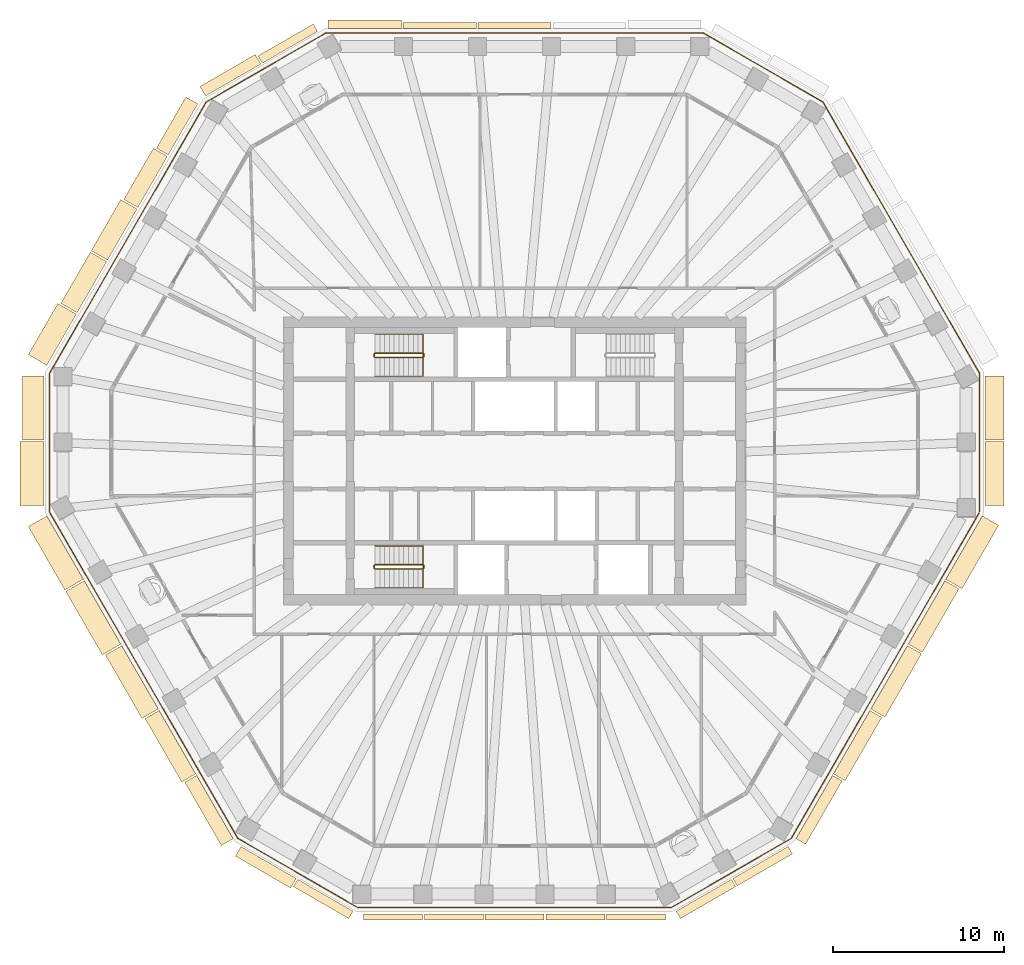
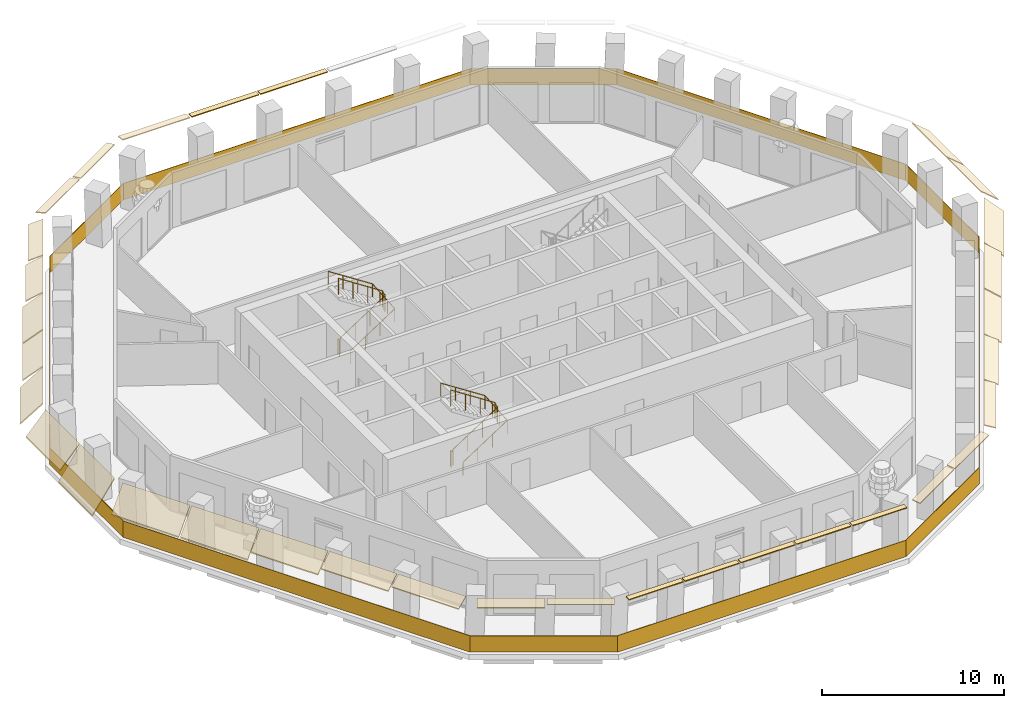
# One storey, part 9 of 12: 33 coverings, 5 railings.
"""IFC4 building model written with IfcOpenShell, lengths in metres."""

from ifc_helpers import new_model, si_unit, direction, frame, origin, origin_2d, place, context, subcontext, project, spatial, polyline, rectangle, circle, outline, extrude, material, layer, layer_set, type_object, element, save


model = new_model("IFC4")

# Units and contexts
model_context = context("Model", 3, precision=1e-05, world=origin(), true_north=direction((0.0, 1.0)))
body_context = subcontext(model_context, "Body", "Model", "MODEL_VIEW")
ifc_project = project(units=[si_unit("LENGTHUNIT", "METRE"), si_unit("AREAUNIT", "SQUARE_METRE"), si_unit("VOLUMEUNIT", "CUBIC_METRE"), si_unit("PLANEANGLEUNIT", "RADIAN"), si_unit("MASSUNIT", "GRAM", prefix="KILO")], contexts=[model_context])

# Site, building, storey
site_placement = place(None, origin())
site = spatial("IfcSite", under=ifc_project, at=site_placement, CompositionType="ELEMENT")
building_placement = place(site_placement, origin())
building = spatial("IfcBuilding", under=site, at=building_placement, Name="Frailejon Research Tower", CompositionType="ELEMENT")
storey_placement = place(building_placement, frame((0.0, 0.0, 245.39990234375)))
storey = spatial("IfcBuildingStorey", under=building, at=storey_placement, Name="L53", CompositionType="ELEMENT", Elevation=245.39990234375)

# Coverings
ifc_material_1 = material(Name="Precast concrete C50/60", Category="concrete")
ifc_layer_1 = layer(ifc_material_1, 0.06005859375)
ifc_layer_set_1 = layer_set([ifc_layer_1], Name="Brim blade depth 1100")
covering_type_1 = type_object("IfcCoveringType", Name="Brim blade depth 1100", PredefinedType="CLADDING", material=ifc_layer_set_1)
for number, where, z_axis, x_axis, name in (
    (1, (27.473876953125, 1.144287109375, 3.85009765625), (0.0, -1.0, 0.0), (1.0, 0.0, 0.0), "Brim blade L53"),
    (2, (27.473876953125, 4.970947265625, 3.85009765625), (0.0, -1.0, 0.0), (1.0, 0.0, 0.0), "Brim blade L53"),
):
    element("IfcCovering", number, at=place(storey_placement, frame(where, z_axis=z_axis, x_axis=x_axis)), inside=storey, type_object=covering_type_1, Name=name, PredefinedType="CLADDING", context=body_context, shape_type="SweptSolid", body=[
        extrude(outline(polyline([(0.0, -0.078369140625), (1.10009765625, -1.001220703125), (1.10009765625, -0.923095703125), (0.0, 0.0), (0.0, -0.078369140625)])), origin(), (0.0, 0.0, 1.0), 3.726806640625),
    ])
covering_1_placement = place(storey_placement, frame((-23.7626953125, 11.730224609375, 3.85009765625), z_axis=(0.50000078986, 0.866024947758, 0.0), x_axis=(-0.866024947758, 0.50000078986, 0.0)))
element("IfcCovering", 3, at=covering_1_placement, inside=storey, type_object=covering_type_1, Name="Brim blade L53", PredefinedType="CLADDING", context=body_context, shape_type="SweptSolid", body=[
    extrude(outline(polyline([(0.0, -0.078369140625), (1.10009765625, -1.001220703125), (1.10009765625, -0.923095703125), (0.0, 0.0), (0.0, -0.078369140625)])), origin(), (0.0, 0.0, 1.0), 3.4453125),
])
covering_2_placement = place(storey_placement, frame((-25.535400390625, 8.65966796875, 3.85009765625), z_axis=(0.499988576894, 0.866031998817, 0.0), x_axis=(-0.866031998817, 0.499988576894, 0.0)))
element("IfcCovering", 4, at=covering_2_placement, inside=storey, type_object=covering_type_1, Name="Brim blade L53", PredefinedType="CLADDING", context=body_context, shape_type="SweptSolid", body=[
    extrude(outline(polyline([(0.0, -0.078369140625), (1.10009765625, -1.001220703125), (1.10009765625, -0.923095703125), (0.0, 0.0), (0.0, -0.078369140625)])), origin(), (0.0, 0.0, 1.0), 3.445556640625),
])
covering_3_placement = place(storey_placement, frame((-20.798828125, -14.47509765625, 3.85009765625), z_axis=(-0.499995631842, 0.866027925727, 0.0), x_axis=(-0.866027925727, -0.499995631842, 0.0)))
element("IfcCovering", 5, at=covering_3_placement, inside=storey, type_object=covering_type_1, Name="Brim blade L53", PredefinedType="CLADDING", context=body_context, shape_type="SweptSolid", body=[
    extrude(outline(polyline([(0.0, -0.078369140625), (1.10009765625, -1.001220703125), (1.10009765625, -0.923095703125), (0.0, 0.0), (0.0, -0.078369140625)])), origin(), (0.0, 0.0, 1.0), 4.272705078125),
])
covering_4_placement = place(storey_placement, frame((27.30810546875, -3.20068359375, 3.85009765625), z_axis=(-0.500012782736, -0.866018023543, 0.0), x_axis=(0.866018023543, -0.500012782736, 0.0)))
element("IfcCovering", 6, at=covering_4_placement, inside=storey, type_object=covering_type_1, Name="Brim blade L53", PredefinedType="CLADDING", context=body_context, shape_type="SweptSolid", body=[
    extrude(outline(polyline([(0.0, -0.078369140625), (1.10009765625, -1.001220703125), (1.10009765625, -0.923095703125), (0.0, 0.0), (0.0, -0.078369140625)])), origin(), (0.0, 0.0, 1.0), 4.27294921875),
])
ifc_material_2 = material(Name="Precast concrete C50/60", Category="concrete")
ifc_layer_2 = layer(ifc_material_2, 0.06005859375)
ifc_layer_set_2 = layer_set([ifc_layer_2], Name="Brim blade depth 1250")
covering_type_2 = type_object("IfcCoveringType", Name="Brim blade depth 1250", PredefinedType="CLADDING", material=ifc_layer_set_2)
covering_5_placement = place(storey_placement, frame((-27.30810546875, 5.589111328125, 3.85009765625), z_axis=(0.50000973004, 0.86601978607, 0.0), x_axis=(-0.86601978607, 0.50000973004, 0.0)))
element("IfcCovering", 7, at=covering_5_placement, inside=storey, type_object=covering_type_2, Name="Brim blade L53", PredefinedType="CLADDING", context=body_context, shape_type="SweptSolid", body=[
    extrude(outline(polyline([(0.0, -0.0888671875), (1.25, -1.452880859375), (1.25, -1.364013671875), (0.0, 0.0), (0.0, -0.0888671875)])), origin(), (0.0, 0.0, 1.0), 3.445556640625),
])
covering_6_placement = place(storey_placement, frame((-27.473876953125, 1.244140625, 3.85009765625), z_axis=(0.0, 1.0, 0.0), x_axis=(-1.0, 0.0, 0.0)))
element("IfcCovering", 8, at=covering_6_placement, inside=storey, type_object=covering_type_2, Name="Brim blade L53", PredefinedType="CLADDING", context=body_context, shape_type="SweptSolid", body=[
    extrude(outline(polyline([(0.0, -0.0888671875), (1.25, -1.452880859375), (1.25, -1.364013671875), (0.0, 0.0), (0.0, -0.0888671875)])), origin(), (0.0, 0.0, 1.0), 3.726806640625),
])
covering_7_placement = place(storey_placement, frame((-25.171630859375, -6.901123046875, 3.85009765625), z_axis=(-0.500012782736, 0.866018023543, 0.0), x_axis=(-0.866018023543, -0.500012782736, 0.0)))
element("IfcCovering", 9, at=covering_7_placement, inside=storey, type_object=covering_type_2, Name="Brim blade L53", PredefinedType="CLADDING", context=body_context, shape_type="SweptSolid", body=[
    extrude(outline(polyline([(0.0, -0.0888671875), (1.25, -1.452880859375), (1.25, -1.364013671875), (0.0, 0.0), (0.0, -0.0888671875)])), origin(), (0.0, 0.0, 1.0), 4.27294921875),
])
covering_8_placement = place(storey_placement, frame((-22.9853515625, -10.688232421875, 3.85009765625), z_axis=(-0.499995631842, 0.866027925727, 0.0), x_axis=(-0.866027925727, -0.499995631842, 0.0)))
element("IfcCovering", 10, at=covering_8_placement, inside=storey, type_object=covering_type_2, Name="Brim blade L53", PredefinedType="CLADDING", context=body_context, shape_type="SweptSolid", body=[
    extrude(outline(polyline([(0.0, -0.0888671875), (1.25, -1.452880859375), (1.25, -1.364013671875), (0.0, 0.0), (0.0, -0.0888671875)])), origin(), (0.0, 0.0, 1.0), 4.272705078125),
])
ifc_material_3 = material(Name="Precast concrete C50/60", Category="concrete")
ifc_layer_3 = layer(ifc_material_3, 0.06005859375)
ifc_layer_set_3 = layer_set([ifc_layer_3], Name="Brim blade depth 1400")
covering_type_3 = type_object("IfcCoveringType", Name="Brim blade depth 1400", PredefinedType="CLADDING", material=ifc_layer_set_3)
covering_9_placement = place(storey_placement, frame((-27.473876953125, -2.58251953125, 3.85009765625), z_axis=(0.0, 1.0, 0.0), x_axis=(-1.0, 0.0, 0.0)))
element("IfcCovering", 11, at=covering_9_placement, inside=storey, type_object=covering_type_3, Name="Brim blade L53", PredefinedType="CLADDING", context=body_context, shape_type="SweptSolid", body=[
    extrude(outline(polyline([(0.0, -0.1044921875), (1.39990234375, -2.10400390625), (1.39990234375, -1.99951171875), (0.0, 0.0), (0.0, -0.1044921875)])), origin(), (0.0, 0.0, 1.0), 3.726806640625),
])
ifc_material_4 = material(Name="Precast concrete C50/60", Category="concrete")
ifc_layer_4 = layer(ifc_material_4, 0.06005859375)
ifc_layer_set_4 = layer_set([ifc_layer_4], Name="Brim blade depth 350")
covering_type_4 = type_object("IfcCoveringType", Name="Brim blade depth 350", PredefinedType="CLADDING", material=ifc_layer_set_4)
covering_10_placement = place(storey_placement, frame((-2.136474609375, 25.25, 3.85009765625), z_axis=(1.0, 0.0, 0.0), x_axis=(0.0, 1.0, 0.0)))
element("IfcCovering", 12, at=covering_10_placement, inside=storey, type_object=covering_type_4, Name="Brim blade L53", PredefinedType="CLADDING", context=body_context, shape_type="SweptSolid", body=[
    extrude(outline(polyline([(0.0, -0.06005859375), (0.35009765625, -0.06005859375), (0.35009765625, 0.0), (0.0, 0.0), (0.0, -0.06005859375)])), origin(), (0.0, 0.0, 1.0), 4.272705078125),
])
covering_11_placement = place(storey_placement, frame((-6.50927734375, 25.25, 3.85009765625), z_axis=(1.0, 0.0, 0.0), x_axis=(0.0, 1.0, 0.0)))
element("IfcCovering", 13, at=covering_11_placement, inside=storey, type_object=covering_type_4, Name="Brim blade L53", PredefinedType="CLADDING", context=body_context, shape_type="SweptSolid", body=[
    extrude(outline(polyline([(0.0, -0.06005859375), (0.35009765625, -0.06005859375), (0.35009765625, 0.0), (0.0, 0.0), (0.0, -0.06005859375)])), origin(), (0.0, 0.0, 1.0), 4.27294921875),
])
for number, where, z_axis, x_axis, name in (
    (14, (-5.3681640625, -26.444091796875, 3.85009765625), (-1.0, 0.0, 0.0), (0.0, -1.0, 0.0), "Brim blade L53"),
    (15, (-1.82275390625, -26.444091796875, 3.85009765625), (-1.0, 0.0, 0.0), (0.0, -1.0, 0.0), "Brim blade L53"),
):
    element("IfcCovering", number, at=place(storey_placement, frame(where, z_axis=z_axis, x_axis=x_axis)), inside=storey, type_object=covering_type_4, Name=name, PredefinedType="CLADDING", context=body_context, shape_type="SweptSolid", body=[
        extrude(outline(polyline([(0.0, -0.06005859375), (0.35009765625, -0.06005859375), (0.35009765625, 0.0), (0.0, 0.0), (0.0, -0.06005859375)])), origin(), (0.0, 0.0, 1.0), 3.445556640625),
    ])
covering_12_placement = place(storey_placement, frame((1.72265625, -26.444091796875, 3.85009765625), z_axis=(-1.0, 0.0, 0.0), x_axis=(0.0, -1.0, 0.0)))
element("IfcCovering", 16, at=covering_12_placement, inside=storey, type_object=covering_type_4, Name="Brim blade L53", PredefinedType="CLADDING", context=body_context, shape_type="SweptSolid", body=[
    extrude(outline(polyline([(0.0, -0.06005859375), (0.35009765625, -0.06005859375), (0.35009765625, 0.0), (0.0, 0.0), (0.0, -0.06005859375)])), origin(), (0.0, 0.0, 1.0), 3.4453125),
])
for number, where, z_axis, x_axis, name in (
    (17, (5.268310546875, -26.444091796875, 3.85009765625), (-1.0, 0.0, 0.0), (0.0, -1.0, 0.0), "Brim blade L53"),
    (18, (8.813720703125, -26.444091796875, 3.85009765625), (-1.0, 0.0, 0.0), (0.0, -1.0, 0.0), "Brim blade L53"),
):
    element("IfcCovering", number, at=place(storey_placement, frame(where, z_axis=z_axis, x_axis=x_axis)), inside=storey, type_object=covering_type_4, Name=name, PredefinedType="CLADDING", context=body_context, shape_type="SweptSolid", body=[
        extrude(outline(polyline([(0.0, -0.06005859375), (0.35009765625, -0.06005859375), (0.35009765625, 0.0), (0.0, 0.0), (0.0, -0.06005859375)])), origin(), (0.0, 0.0, 1.0), 3.445556640625),
    ])
ifc_material_5 = material(Name="Precast concrete C50/60", Category="concrete")
ifc_layer_5 = layer(ifc_material_5, 0.06005859375)
ifc_layer_set_5 = layer_set([ifc_layer_5], Name="Brim blade depth 500")
covering_type_5 = type_object("IfcCoveringType", Name="Brim blade depth 500", PredefinedType="CLADDING", material=ifc_layer_set_5)
covering_13_placement = place(storey_placement, frame((-10.882080078125, 25.25, 3.85009765625), z_axis=(1.0, 0.0, 0.0), x_axis=(0.0, 1.0, 0.0)))
element("IfcCovering", 19, at=covering_13_placement, inside=storey, type_object=covering_type_5, Name="Brim blade L53", PredefinedType="CLADDING", context=body_context, shape_type="SweptSolid", body=[
    extrude(outline(polyline([(0.0, -0.060546875), (0.5, -0.130859375), (0.5, -0.0703125), (0.0, 0.0), (0.0, -0.060546875)])), origin(), (0.0, 0.0, 1.0), 4.272705078125),
])
for number, where, z_axis, x_axis, name in (
    (20, (-14.727783203125, 23.220947265625, 3.85009765625), (0.866018477835, 0.500011995905, 0.0), (-0.500011995905, 0.866018477835, 0.0), "Brim blade L53"),
    (21, (-9.431884765625, -26.278564453125, 3.85009765625), (-0.866018477835, 0.500011995905, 0.0), (-0.500011995905, -0.866018477835, 0.0), "Brim blade L53"),
    (22, (12.659423828125, -24.4150390625, 3.85009765625), (-0.866018477835, -0.500011995905, 0.0), (0.500011995905, -0.866018477835, 0.0), "Brim blade L53"),
    (23, (15.973388671875, -22.501708984375, 3.85009765625), (-0.866036325866, -0.499981081923, 0.0), (0.499981081923, -0.866036325866, 0.0), "Brim blade L53"),
):
    element("IfcCovering", number, at=place(storey_placement, frame(where, z_axis=z_axis, x_axis=x_axis)), inside=storey, type_object=covering_type_5, Name=name, PredefinedType="CLADDING", context=body_context, shape_type="SweptSolid", body=[
        extrude(outline(polyline([(0.0, -0.060546875), (0.5, -0.130859375), (0.5, -0.0703125), (0.0, 0.0), (0.0, -0.060546875)])), origin(), (0.0, 0.0, 1.0), 3.726806640625),
    ])
ifc_material_6 = material(Name="Precast concrete C50/60", Category="concrete")
ifc_layer_6 = layer(ifc_material_6, 0.06005859375)
ifc_layer_set_6 = layer_set([ifc_layer_6], Name="Brim blade depth 650")
covering_type_6 = type_object("IfcCoveringType", Name="Brim blade depth 650", PredefinedType="CLADDING", material=ifc_layer_set_6)
for number, where, z_axis, x_axis, name in (
    (24, (-18.0419921875, 21.3076171875, 3.85009765625), (0.866036325866, 0.499981081923, 0.0), (-0.499981081923, 0.866036325866, 0.0), "Brim blade L53"),
    (25, (-12.74609375, -24.364990234375, 3.85009765625), (-0.866036325866, 0.499981081923, 0.0), (-0.499981081923, -0.866036325866, 0.0), "Brim blade L53"),
):
    element("IfcCovering", number, at=place(storey_placement, frame(where, z_axis=z_axis, x_axis=x_axis)), inside=storey, type_object=covering_type_6, Name=name, PredefinedType="CLADDING", context=body_context, shape_type="SweptSolid", body=[
        extrude(outline(polyline([(0.0, -0.0625), (0.64990234375, -0.248779296875), (0.64990234375, -0.186279296875), (0.0, 0.0), (0.0, -0.0625)])), origin(), (0.0, 0.0, 1.0), 3.726806640625),
    ])
covering_14_placement = place(storey_placement, frame((18.5625, -18.348876953125, 3.85009765625), z_axis=(-0.499995631842, -0.866027925727, 0.0), x_axis=(0.866027925727, -0.499995631842, 0.0)))
element("IfcCovering", 26, at=covering_14_placement, inside=storey, type_object=covering_type_6, Name="Brim blade L53", PredefinedType="CLADDING", context=body_context, shape_type="SweptSolid", body=[
    extrude(outline(polyline([(0.0, -0.0625), (0.64990234375, -0.248779296875), (0.64990234375, -0.186279296875), (0.0, 0.0), (0.0, -0.0625)])), origin(), (0.0, 0.0, 1.0), 4.272705078125),
])
ifc_material_7 = material(Name="Precast concrete C50/60", Category="concrete")
ifc_layer_7 = layer(ifc_material_7, 0.06005859375)
ifc_layer_set_7 = layer_set([ifc_layer_7], Name="Brim blade depth 800")
covering_type_7 = type_object("IfcCoveringType", Name="Brim blade depth 800", PredefinedType="CLADDING", material=ifc_layer_set_7)
covering_15_placement = place(storey_placement, frame((-20.21728515625, 17.87109375, 3.85009765625), z_axis=(0.499988576894, 0.866031998817, 0.0), x_axis=(-0.866031998817, 0.499988576894, 0.0)))
element("IfcCovering", 27, at=covering_15_placement, inside=storey, type_object=covering_type_7, Name="Brim blade L53", PredefinedType="CLADDING", context=body_context, shape_type="SweptSolid", body=[
    extrude(outline(polyline([(0.0, -0.065673828125), (0.800048828125, -0.421875), (0.800048828125, -0.356201171875), (0.0, 0.0), (0.0, -0.065673828125)])), origin(), (0.0, 0.0, 1.0), 3.445556640625),
])
for number, where, z_axis, x_axis, name in (
    (28, (-16.426025390625, -22.04931640625, 3.85009765625), (-0.499995631842, 0.866027925727, 0.0), (-0.866027925727, -0.499995631842, 0.0), "Brim blade L53"),
    (29, (20.748779296875, -14.561767578125, 3.85009765625), (-0.499995631842, -0.866027925727, 0.0), (0.866027925727, -0.499995631842, 0.0), "Brim blade L53"),
):
    element("IfcCovering", number, at=place(storey_placement, frame(where, z_axis=z_axis, x_axis=x_axis)), inside=storey, type_object=covering_type_7, Name=name, PredefinedType="CLADDING", context=body_context, shape_type="SweptSolid", body=[
        extrude(outline(polyline([(0.0, -0.065673828125), (0.800048828125, -0.421875), (0.800048828125, -0.356201171875), (0.0, 0.0), (0.0, -0.065673828125)])), origin(), (0.0, 0.0, 1.0), 4.272705078125),
    ])
ifc_material_8 = material(Name="Precast concrete C50/60", Category="concrete")
ifc_layer_8 = layer(ifc_material_8, 0.06005859375)
ifc_layer_set_8 = layer_set([ifc_layer_8], Name="Brim blade depth 950")
covering_type_8 = type_object("IfcCoveringType", Name="Brim blade depth 950", PredefinedType="CLADDING", material=ifc_layer_set_8)
covering_16_placement = place(storey_placement, frame((-21.989990234375, 14.800537109375, 3.85009765625), z_axis=(0.50000973004, 0.86601978607, 0.0), x_axis=(-0.86601978607, 0.50000973004, 0.0)))
element("IfcCovering", 30, at=covering_16_placement, inside=storey, type_object=covering_type_8, Name="Brim blade L53", PredefinedType="CLADDING", context=body_context, shape_type="SweptSolid", body=[
    extrude(outline(polyline([(0.0, -0.07080078125), (0.949951171875, -0.664306640625), (0.949951171875, -0.593505859375), (0.0, 0.0), (0.0, -0.07080078125)])), origin(), (0.0, 0.0, 1.0), 3.445556640625),
])
for number, where, z_axis, x_axis, name in (
    (31, (-18.612548828125, -18.26220703125, 3.85009765625), (-0.499995631842, 0.866027925727, 0.0), (-0.866027925727, -0.499995631842, 0.0), "Brim blade L53"),
    (32, (22.935302734375, -10.77490234375, 3.85009765625), (-0.499995631842, -0.866027925727, 0.0), (0.866027925727, -0.499995631842, 0.0), "Brim blade L53"),
    (33, (25.12158203125, -6.98779296875, 3.85009765625), (-0.499995631842, -0.866027925727, 0.0), (0.866027925727, -0.499995631842, 0.0), "Brim blade L53"),
):
    element("IfcCovering", number, at=place(storey_placement, frame(where, z_axis=z_axis, x_axis=x_axis)), inside=storey, type_object=covering_type_8, Name=name, PredefinedType="CLADDING", context=body_context, shape_type="SweptSolid", body=[
        extrude(outline(polyline([(0.0, -0.07080078125), (0.949951171875, -0.664306640625), (0.949951171875, -0.593505859375), (0.0, 0.0), (0.0, -0.07080078125)])), origin(), (0.0, 0.0, 1.0), 4.272705078125),
    ])

# Railings
ifc_material_9 = material(Name="Laminated glass balustrade", Category="glass")
railing_type_1 = type_object("IfcRailingType", Name="Glass guard 1100", PredefinedType="GUARDRAIL", material=ifc_material_9)
railing_1_placement = place(storey_placement, frame((27.15380859375, -2.973388671875, 0.0)))
element("IfcRailing", 34, at=railing_1_placement, inside=storey, type_object=railing_type_1, Name="Loggia guard L53", PredefinedType="GUARDRAIL", context=body_context, shape_type="SweptSolid", body=[
    extrude(rectangle(XDim=8.083740234375, YDim=0.030029296875, at=origin_2d()), frame((0.0, 4.0419921875, 0.0), z_axis=(0.0, 0.0, 1.0), x_axis=(0.0, 1.0, 0.0)), (0.0, 0.0, 1.0), 1.10009765625),
    extrude(rectangle(XDim=18.302490234375, YDim=0.030029296875, at=origin_2d()), frame((-4.57568359375, 16.0087890625, 0.0), z_axis=(0.0, 0.0, 1.0), x_axis=(-0.500006887752, 0.866021427103, 0.0)), (0.0, 0.0, 1.0), 1.10009765625),
    extrude(rectangle(XDim=8.08349609375, YDim=0.030029296875, at=origin_2d()), frame((-12.651611328125, 25.955078125, 0.0), z_axis=(0.0, 0.0, 1.0), x_axis=(-0.866011562111, 0.500023973715, 0.0)), (0.0, 0.0, 1.0), 1.10009765625),
    extrude(rectangle(XDim=22.00390625, YDim=0.030029296875, at=origin_2d()), frame((-27.15380859375, 27.97607421875, 0.0), z_axis=(0.0, 0.0, 1.0), x_axis=(-1.0, 0.0, 0.0)), (0.0, 0.0, 1.0), 1.10009765625),
    extrude(rectangle(XDim=8.08349609375, YDim=0.030029296875, at=origin_2d()), frame((-41.656005859375, 25.955078125, 0.0), z_axis=(0.0, 0.0, 1.0), x_axis=(-0.866011562111, -0.500023973715, 0.0)), (0.0, 0.0, 1.0), 1.10009765625),
    extrude(rectangle(XDim=18.302490234375, YDim=0.030029296875, at=origin_2d()), frame((-49.73193359375, 16.0087890625, 0.0), z_axis=(0.0, 0.0, 1.0), x_axis=(-0.500006887752, -0.866021427103, 0.0)), (0.0, 0.0, 1.0), 1.10009765625),
    extrude(rectangle(XDim=8.083740234375, YDim=0.030029296875, at=origin_2d()), frame((-54.3076171875, 4.0419921875, 0.0), z_axis=(0.0, 0.0, 1.0), x_axis=(0.0, -1.0, 0.0)), (0.0, 0.0, 1.0), 1.10009765625),
    extrude(rectangle(XDim=22.00390625, YDim=0.030029296875, at=origin_2d()), frame((-48.806640625, -9.52783203125, 0.0), z_axis=(0.0, 0.0, 1.0), x_axis=(0.500000661052, -0.866025022126, 0.0)), (0.0, 0.0, 1.0), 1.10009765625),
    extrude(rectangle(XDim=8.08349609375, YDim=0.030029296875, at=origin_2d()), frame((-39.805419921875, -21.07666015625, 0.0), z_axis=(0.0, 0.0, 1.0), x_axis=(0.866024640271, -0.500001322442, 0.0)), (0.0, 0.0, 1.0), 1.10009765625),
    extrude(rectangle(XDim=18.302734375, YDim=0.030029296875, at=origin_2d()), frame((-27.15380859375, -23.09765625, 0.0), z_axis=(0.0, 0.0, 1.0), x_axis=(1.0, 0.0, 0.0)), (0.0, 0.0, 1.0), 1.10009765625),
    extrude(rectangle(XDim=8.08349609375, YDim=0.030029296875, at=origin_2d()), frame((-14.502197265625, -21.07666015625, 0.0), z_axis=(0.0, 0.0, 1.0), x_axis=(0.866024640271, 0.500001322442, 0.0)), (0.0, 0.0, 1.0), 1.10009765625),
    extrude(rectangle(XDim=21.93408203125, YDim=0.030029296875, at=origin_2d()), frame((-5.5185546875, -9.55810546875, 0.0), z_axis=(0.0, 0.0, 1.0), x_axis=(0.500002189733, 0.866024139538, 0.0)), (0.0, 0.0, 1.0), 1.10009765625),
])
ifc_material_10 = material(Name="Stainless steel", Category="steel")
railing_type_2 = type_object("IfcRailingType", Name="Stair guard 1100", PredefinedType="GUARDRAIL", material=ifc_material_10)
railing_2_placement = place(storey_placement, frame((-8.199951171875, 6.25, 0.0)))
element("IfcRailing", 35, at=railing_2_placement, inside=storey, type_object=railing_type_2, Name="L53 ST1 stair guard 1", PredefinedType="GUARDRAIL", context=body_context, shape_type="SweptSolid", body=[
    extrude(circle(Radius=0.02392578125, at=origin_2d()), frame((0.0, 0.0, 1.076171875), z_axis=(0.0, -1.0, 0.0), x_axis=(1.0, 0.0, 0.0)), (0.0, 0.0, 1.0), 0.14990234375),
    extrude(circle(Radius=0.02392578125, at=origin_2d()), frame((0.0, -0.14990234375, 1.076171875), z_axis=(0.256435381639, -0.256435381639, 0.931923704005), x_axis=(0.707106781187, 0.707106781187, 0.0)), (0.0, 0.0, 1.0), 0.195068359375),
    extrude(circle(Radius=0.02392578125, at=origin_2d()), frame((0.050048828125, -0.199951171875, 1.2578125), z_axis=(0.83868413941, 0.0, 0.544618136222), x_axis=(0.0, 1.0, 0.0)), (0.0, 0.0, 1.0), 3.33837890625),
    extrude(circle(Radius=0.02392578125, at=origin_2d()), frame((2.849853515625, -0.199951171875, 3.076171875), z_axis=(0.707106781187, 0.707106781187, 0.0), x_axis=(-0.707106781187, 0.707106781187, 0.0)), (0.0, 0.0, 1.0), 0.07080078125),
    extrude(circle(Radius=0.02392578125, at=origin_2d()), frame((2.89990234375, -0.14990234375, 3.076171875), z_axis=(0.0, 1.0, 0.0), x_axis=(-1.0, 0.0, 0.0)), (0.0, 0.0, 1.0), 0.14990234375),
    extrude(circle(Radius=0.02392578125, at=origin_2d()), frame((2.89990234375, 0.0, 3.076171875), z_axis=(-0.256435381639, 0.256435381639, 0.931923704005), x_axis=(-0.707106781187, -0.707106781187, 0.0)), (0.0, 0.0, 1.0), 0.195068359375),
    extrude(circle(Radius=0.02392578125, at=origin_2d()), frame((2.849853515625, 0.050048828125, 3.2578125), z_axis=(-0.83868413941, 0.0, 0.544618136222), x_axis=(0.0, -1.0, 0.0)), (0.0, 0.0, 1.0), 3.33837890625),
    extrude(circle(Radius=0.02099609375, at=origin_2d()), origin(), (0.0, 0.0, 1.0), 1.052001953125),
    extrude(circle(Radius=0.02099609375, at=origin_2d()), frame((0.0, -0.14990234375, 0.0)), (0.0, 0.0, 1.0), 1.052001953125),
    extrude(circle(Radius=0.02099609375, at=origin_2d()), frame((0.050048828125, -0.199951171875, 0.181884765625)), (0.0, 0.0, 1.0), 1.052001953125),
    extrude(circle(Radius=0.02099609375, at=origin_2d()), frame((0.9833984375, -0.199951171875, 0.787841796875)), (0.0, 0.0, 1.0), 1.052001953125),
    extrude(circle(Radius=0.02099609375, at=origin_2d()), frame((1.91650390625, -0.199951171875, 1.39404296875)), (0.0, 0.0, 1.0), 1.052001953125),
    extrude(circle(Radius=0.02099609375, at=origin_2d()), frame((2.849853515625, -0.199951171875, 2.0)), (0.0, 0.0, 1.0), 1.052001953125),
    extrude(circle(Radius=0.02099609375, at=origin_2d()), frame((2.89990234375, -0.14990234375, 2.0)), (0.0, 0.0, 1.0), 1.052001953125),
    extrude(circle(Radius=0.02099609375, at=origin_2d()), frame((2.89990234375, 0.0, 2.0)), (0.0, 0.0, 1.0), 1.052001953125),
    extrude(circle(Radius=0.02099609375, at=origin_2d()), frame((2.849853515625, 0.050048828125, 2.181884765625)), (0.0, 0.0, 1.0), 1.052001953125),
    extrude(circle(Radius=0.02099609375, at=origin_2d()), frame((1.91650390625, 0.050048828125, 2.787841796875)), (0.0, 0.0, 1.0), 1.052001953125),
    extrude(circle(Radius=0.02099609375, at=origin_2d()), frame((0.9833984375, 0.050048828125, 3.39404296875)), (0.0, 0.0, 1.0), 1.052001953125),
    extrude(circle(Radius=0.02099609375, at=origin_2d()), frame((0.050048828125, 0.050048828125, 4.0)), (0.0, 0.0, 1.0), 1.052001953125),
])
railing_3_placement = place(storey_placement, frame((-8.199951171875, -6.10009765625, 0.0)))
element("IfcRailing", 36, at=railing_3_placement, inside=storey, type_object=railing_type_2, Name="L53 ST2 stair guard 1", PredefinedType="GUARDRAIL", context=body_context, shape_type="SweptSolid", body=[
    extrude(circle(Radius=0.02392578125, at=origin_2d()), frame((0.0, 0.0, 1.076171875), z_axis=(0.0, -1.0, 0.0), x_axis=(1.0, 0.0, 0.0)), (0.0, 0.0, 1.0), 0.14990234375),
    extrude(circle(Radius=0.02392578125, at=origin_2d()), frame((0.0, -0.14990234375, 1.076171875), z_axis=(0.256435381639, -0.256435381639, 0.931923704005), x_axis=(0.707106781187, 0.707106781187, 0.0)), (0.0, 0.0, 1.0), 0.195068359375),
    extrude(circle(Radius=0.02392578125, at=origin_2d()), frame((0.050048828125, -0.199951171875, 1.2578125), z_axis=(0.83868413941, 0.0, 0.544618136222), x_axis=(0.0, 1.0, 0.0)), (0.0, 0.0, 1.0), 3.33837890625),
    extrude(circle(Radius=0.02392578125, at=origin_2d()), frame((2.849853515625, -0.199951171875, 3.076171875), z_axis=(0.707106781187, 0.707106781187, 0.0), x_axis=(-0.707106781187, 0.707106781187, 0.0)), (0.0, 0.0, 1.0), 0.07080078125),
    extrude(circle(Radius=0.02392578125, at=origin_2d()), frame((2.89990234375, -0.14990234375, 3.076171875), z_axis=(0.0, 1.0, 0.0), x_axis=(-1.0, 0.0, 0.0)), (0.0, 0.0, 1.0), 0.14990234375),
    extrude(circle(Radius=0.02392578125, at=origin_2d()), frame((2.89990234375, 0.0, 3.076171875), z_axis=(-0.256435381639, 0.256435381639, 0.931923704005), x_axis=(-0.707106781187, -0.707106781187, 0.0)), (0.0, 0.0, 1.0), 0.195068359375),
    extrude(circle(Radius=0.02392578125, at=origin_2d()), frame((2.849853515625, 0.050048828125, 3.2578125), z_axis=(-0.83868413941, 0.0, 0.544618136222), x_axis=(0.0, -1.0, 0.0)), (0.0, 0.0, 1.0), 3.33837890625),
    extrude(circle(Radius=0.02099609375, at=origin_2d()), origin(), (0.0, 0.0, 1.0), 1.052001953125),
    extrude(circle(Radius=0.02099609375, at=origin_2d()), frame((0.0, -0.14990234375, 0.0)), (0.0, 0.0, 1.0), 1.052001953125),
    extrude(circle(Radius=0.02099609375, at=origin_2d()), frame((0.050048828125, -0.199951171875, 0.181884765625)), (0.0, 0.0, 1.0), 1.052001953125),
    extrude(circle(Radius=0.02099609375, at=origin_2d()), frame((0.9833984375, -0.199951171875, 0.787841796875)), (0.0, 0.0, 1.0), 1.052001953125),
    extrude(circle(Radius=0.02099609375, at=origin_2d()), frame((1.91650390625, -0.199951171875, 1.39404296875)), (0.0, 0.0, 1.0), 1.052001953125),
    extrude(circle(Radius=0.02099609375, at=origin_2d()), frame((2.849853515625, -0.199951171875, 2.0)), (0.0, 0.0, 1.0), 1.052001953125),
    extrude(circle(Radius=0.02099609375, at=origin_2d()), frame((2.89990234375, -0.14990234375, 2.0)), (0.0, 0.0, 1.0), 1.052001953125),
    extrude(circle(Radius=0.02099609375, at=origin_2d()), frame((2.89990234375, 0.0, 2.0)), (0.0, 0.0, 1.0), 1.052001953125),
    extrude(circle(Radius=0.02099609375, at=origin_2d()), frame((2.849853515625, 0.050048828125, 2.181884765625)), (0.0, 0.0, 1.0), 1.052001953125),
    extrude(circle(Radius=0.02099609375, at=origin_2d()), frame((1.91650390625, 0.050048828125, 2.787841796875)), (0.0, 0.0, 1.0), 1.052001953125),
    extrude(circle(Radius=0.02099609375, at=origin_2d()), frame((0.9833984375, 0.050048828125, 3.39404296875)), (0.0, 0.0, 1.0), 1.052001953125),
    extrude(circle(Radius=0.02099609375, at=origin_2d()), frame((0.050048828125, 0.050048828125, 4.0)), (0.0, 0.0, 1.0), 1.052001953125),
])
ifc_material_11 = material(Name="Stainless steel", Category="steel")
railing_type_3 = type_object("IfcRailingType", Name="Stair handrail 900", PredefinedType="HANDRAIL", material=ifc_material_11)
railing_4_placement = place(storey_placement, frame((-8.14990234375, 4.949951171875, 0.181884765625)))
element("IfcRailing", 37, at=railing_4_placement, inside=storey, type_object=railing_type_3, Name="L53 ST1 stair handrail 1", PredefinedType="HANDRAIL", context=body_context, shape_type="SweptSolid", body=[
    extrude(circle(Radius=0.02392578125, at=origin_2d()), frame((0.0, 0.0, 0.8759765625), z_axis=(0.83868413941, 0.0, 0.544618136222), x_axis=(0.0, 1.0, 0.0)), (0.0, 0.0, 1.0), 3.33837890625),
    extrude(circle(Radius=0.02392578125, at=origin_2d()), frame((2.7998046875, 0.0, 2.69384765625), z_axis=(0.0, 0.997255538948, 0.074036410216), x_axis=(-1.0, 0.0, 0.0)), (0.0, 0.0, 1.0), 2.456787109375),
    extrude(circle(Radius=0.02392578125, at=origin_2d()), frame((2.7998046875, 2.449951171875, 2.8759765625), z_axis=(-0.83868413941, 0.0, 0.544618136222), x_axis=(0.0, -1.0, 0.0)), (0.0, 0.0, 1.0), 3.33837890625),
    extrude(circle(Radius=0.02099609375, at=origin_2d()), origin(), (0.0, 0.0, 1.0), 0.851806640625),
    extrude(circle(Radius=0.02099609375, at=origin_2d()), frame((0.933349609375, 0.0, 0.60595703125)), (0.0, 0.0, 1.0), 0.851806640625),
    extrude(circle(Radius=0.02099609375, at=origin_2d()), frame((1.866455078125, 0.0, 1.212158203125)), (0.0, 0.0, 1.0), 0.851806640625),
    extrude(circle(Radius=0.02099609375, at=origin_2d()), frame((2.7998046875, 0.0, 1.818115234375)), (0.0, 0.0, 1.0), 0.851806640625),
    extrude(circle(Radius=0.02099609375, at=origin_2d()), frame((2.7998046875, 0.816650390625, 1.878662109375)), (0.0, 0.0, 1.0), 0.851806640625),
    extrude(circle(Radius=0.02099609375, at=origin_2d()), frame((2.7998046875, 1.63330078125, 1.939453125)), (0.0, 0.0, 1.0), 0.851806640625),
    extrude(circle(Radius=0.02099609375, at=origin_2d()), frame((2.7998046875, 2.449951171875, 2.0)), (0.0, 0.0, 1.0), 0.851806640625),
    extrude(circle(Radius=0.02099609375, at=origin_2d()), frame((1.866455078125, 2.449951171875, 2.60595703125)), (0.0, 0.0, 1.0), 0.851806640625),
    extrude(circle(Radius=0.02099609375, at=origin_2d()), frame((0.933349609375, 2.449951171875, 3.212158203125)), (0.0, 0.0, 1.0), 0.851806640625),
    extrude(circle(Radius=0.02099609375, at=origin_2d()), frame((0.0, 2.449951171875, 3.818115234375)), (0.0, 0.0, 1.0), 0.851806640625),
])
railing_5_placement = place(storey_placement, frame((-8.14990234375, -7.39990234375, 0.181884765625)))
element("IfcRailing", 38, at=railing_5_placement, inside=storey, type_object=railing_type_3, Name="L53 ST2 stair handrail 1", PredefinedType="HANDRAIL", context=body_context, shape_type="SweptSolid", body=[
    extrude(circle(Radius=0.02392578125, at=origin_2d()), frame((0.0, 0.0, 0.8759765625), z_axis=(0.83868413941, 0.0, 0.544618136222), x_axis=(0.0, 1.0, 0.0)), (0.0, 0.0, 1.0), 3.33837890625),
    extrude(circle(Radius=0.02392578125, at=origin_2d()), frame((2.7998046875, 0.0, 2.69384765625), z_axis=(0.0, 0.997255538948, 0.074036410216), x_axis=(-1.0, 0.0, 0.0)), (0.0, 0.0, 1.0), 2.456787109375),
    extrude(circle(Radius=0.02392578125, at=origin_2d()), frame((2.7998046875, 2.449951171875, 2.8759765625), z_axis=(-0.83868413941, 0.0, 0.544618136222), x_axis=(0.0, -1.0, 0.0)), (0.0, 0.0, 1.0), 3.33837890625),
    extrude(circle(Radius=0.02099609375, at=origin_2d()), origin(), (0.0, 0.0, 1.0), 0.851806640625),
    extrude(circle(Radius=0.02099609375, at=origin_2d()), frame((0.933349609375, 0.0, 0.60595703125)), (0.0, 0.0, 1.0), 0.851806640625),
    extrude(circle(Radius=0.02099609375, at=origin_2d()), frame((1.866455078125, 0.0, 1.212158203125)), (0.0, 0.0, 1.0), 0.851806640625),
    extrude(circle(Radius=0.02099609375, at=origin_2d()), frame((2.7998046875, 0.0, 1.818115234375)), (0.0, 0.0, 1.0), 0.851806640625),
    extrude(circle(Radius=0.02099609375, at=origin_2d()), frame((2.7998046875, 0.816650390625, 1.878662109375)), (0.0, 0.0, 1.0), 0.851806640625),
    extrude(circle(Radius=0.02099609375, at=origin_2d()), frame((2.7998046875, 1.63330078125, 1.939453125)), (0.0, 0.0, 1.0), 0.851806640625),
    extrude(circle(Radius=0.02099609375, at=origin_2d()), frame((2.7998046875, 2.449951171875, 2.0)), (0.0, 0.0, 1.0), 0.851806640625),
    extrude(circle(Radius=0.02099609375, at=origin_2d()), frame((1.866455078125, 2.449951171875, 2.60595703125)), (0.0, 0.0, 1.0), 0.851806640625),
    extrude(circle(Radius=0.02099609375, at=origin_2d()), frame((0.933349609375, 2.449951171875, 3.212158203125)), (0.0, 0.0, 1.0), 0.851806640625),
    extrude(circle(Radius=0.02099609375, at=origin_2d()), frame((0.0, 2.449951171875, 3.818115234375)), (0.0, 0.0, 1.0), 0.851806640625),
])

save(model, "model.ifc")
